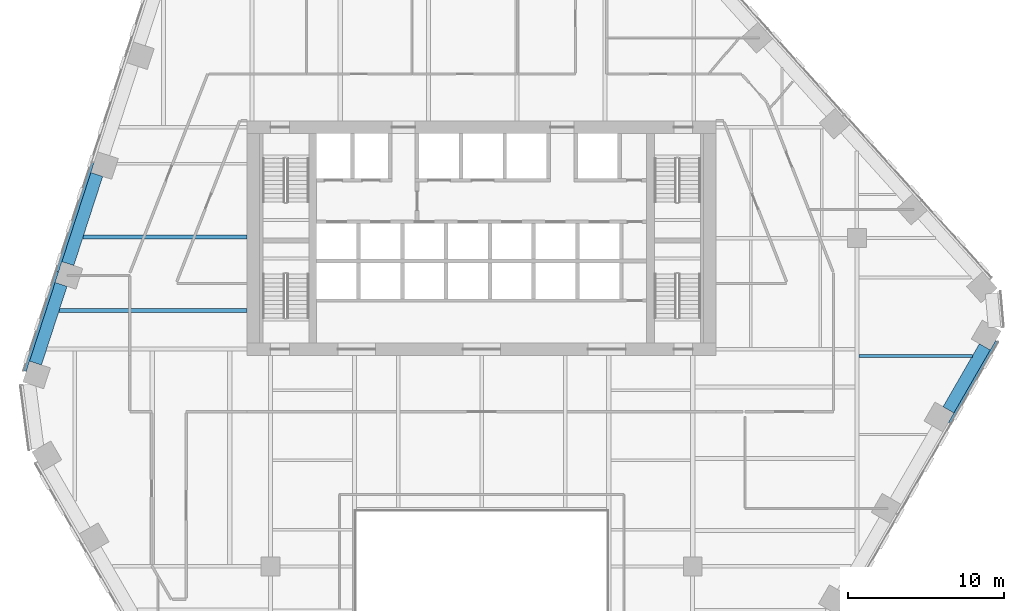
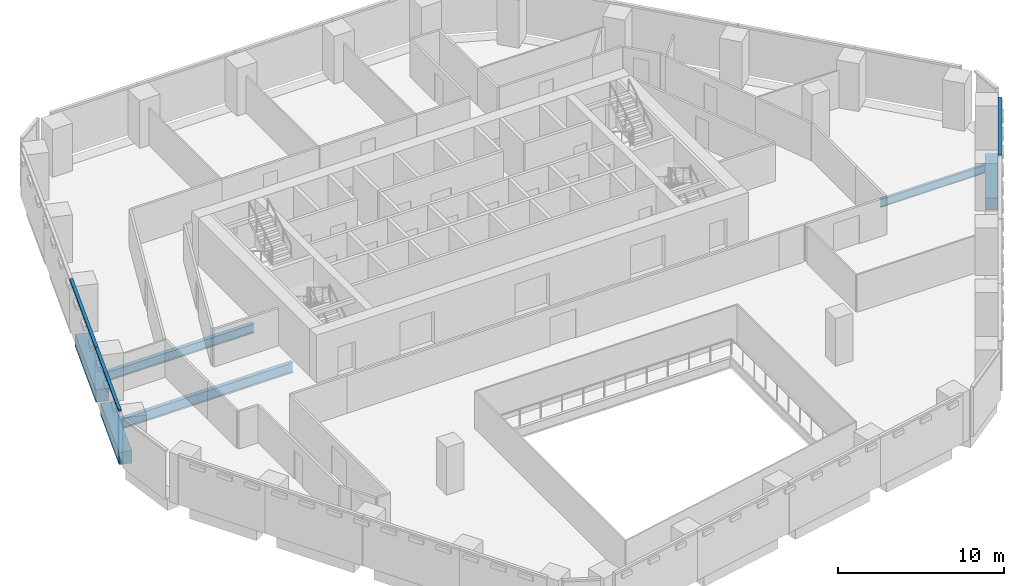
# One storey, part 6 of 17: 6 beams, 3 members, 2 elements without a shape of their own.
"""IFC4 building model written with IfcOpenShell, lengths in metres."""

import ifcopenshell
import ifcopenshell.guid

model = None  # the IFC model being written
_history = None  # IfcOwnerHistory: only IFC2X3 demands one
_inside = {}  # id of a spatial element -> (the spatial element, [elements in it])
_under = {}  # id of a project, library or spatial element -> (it, [spatial elements below it])
_declared = {}  # id of a project -> (the project, [libraries it declares])
_typed = {}  # id of a type object -> (the type object, [elements of that type])
_made_of = {}  # id of a material, layer set ... -> (it, [elements and type objects made of it])


def new_model(schema):
    """Start an empty IFC model of exactly this schema.

    Asked for "IFC4X3", IfcOpenShell would pick the latest addendum, in which some entities
    have other attributes; the version numbers below select the first issue.
    IFC2X3 requires an IfcOwnerHistory on every rooted entity: one is made here for all.
    """
    global model, _history
    if schema == "IFC4X3":
        model = ifcopenshell.file(schema_version=(4, 3, 0, 0))
    else:
        model = ifcopenshell.file(schema=schema)
    _inside.clear()
    _under.clear()
    _declared.clear()
    _typed.clear()
    _made_of.clear()
    _history = None
    if model.schema == "IFC2X3":
        org = make("IfcOrganization", Name="unknown")
        user = make(
            "IfcPersonAndOrganization",
            ThePerson=make("IfcPerson", FamilyName="unknown"),
            TheOrganization=org,
        )
        app = make(
            "IfcApplication",
            ApplicationDeveloper=org,
            Version="unknown",
            ApplicationFullName="unknown",
            ApplicationIdentifier="unknown",
        )
        _history = make(
            "IfcOwnerHistory",
            OwningUser=user,
            OwningApplication=app,
            ChangeAction="ADDED",
            CreationDate=0,
        )
    return model


def make(cls, **values):
    """One entity of the class cls with the attributes given. An attribute that is None is left unset."""
    return model.create_entity(
        cls, **{name: value for name, value in values.items() if value is not None}
    )


def rooted(cls, **values):
    """An entity with a GlobalId (a new one), such as an element, a storey or a relation."""
    return make(cls, GlobalId=ifcopenshell.guid.new(), OwnerHistory=_history, **values)


def si_unit(unit_type, name, prefix=None):
    """IfcSIUnit, for example si_unit("LENGTHUNIT", "METRE", prefix="MILLI")."""
    return make("IfcSIUnit", UnitType=unit_type, Prefix=prefix, Name=name)


def assignment(units):
    """IfcUnitAssignment: the units of a project."""
    return None if units is None else make("IfcUnitAssignment", Units=units)


def point(xyz):
    """IfcCartesianPoint."""
    return None if xyz is None else make("IfcCartesianPoint", Coordinates=xyz)


def direction(xyz):
    """IfcDirection."""
    return None if xyz is None else make("IfcDirection", DirectionRatios=xyz)


def frame(location, z_axis=None, x_axis=None):
    """IfcAxis2Placement3D, a coordinate frame: its origin and axes. An axis left out is left unset."""
    return make(
        "IfcAxis2Placement3D",
        Location=point(location),
        Axis=direction(z_axis),
        RefDirection=direction(x_axis),
    )


def frame_2d(location, x_axis=None):
    """IfcAxis2Placement2D, a coordinate frame in the plane: its origin and x axis."""
    return make(
        "IfcAxis2Placement2D", Location=point(location), RefDirection=direction(x_axis)
    )


def origin():
    """The frame at (0, 0, 0) with its axes left unset."""
    return frame((0.0, 0.0, 0.0))


def origin_2d():
    """The frame at (0, 0) in the plane with its x axis left unset."""
    return frame_2d((0.0, 0.0))


def place(relative_to, where):
    """IfcLocalPlacement: puts the frame where relative to a parent placement (None: the world)."""
    return make(
        "IfcLocalPlacement", PlacementRelTo=relative_to, RelativePlacement=where
    )


def context(
    kind, dimensions, precision=None, world=None, true_north=None, identifier=None
):
    """IfcGeometricRepresentationContext, for example the 3D "Model" context."""
    return make(
        "IfcGeometricRepresentationContext",
        ContextIdentifier=identifier,
        ContextType=kind,
        CoordinateSpaceDimension=dimensions,
        Precision=precision,
        WorldCoordinateSystem=world,
        TrueNorth=true_north,
    )


def subcontext(parent, identifier, kind, view, scale=None):
    """IfcGeometricRepresentationSubContext, for example "Body" below "Model"."""
    return make(
        "IfcGeometricRepresentationSubContext",
        ContextIdentifier=identifier,
        ContextType=kind,
        ParentContext=parent,
        TargetScale=scale,
        TargetView=view,
    )


def project(units=None, contexts=None):
    """IfcProject with its units and contexts."""
    return rooted(
        "IfcProject",
        Name="project",
        RepresentationContexts=contexts,
        UnitsInContext=assignment(units),
    )


def spatial(cls, under=None, at=None, **own):
    """A site, building, storey or space (cls), placed at a placement, below another one or the project."""
    s = rooted(cls, ObjectPlacement=at, **own)
    if under is not None:
        _under.setdefault(under.id(), (under, []))[1].append(s)
    return s


def profile(cls, at=None, kind="AREA", **sizes):
    """A parametric profile (cls). Its sizes go by their IFC names, for example OverallWidth=200.0."""
    return make(cls, ProfileType=kind, Position=at, **sizes)


def rectangle(**sizes):
    """IfcRectangleProfileDef."""
    return profile("IfcRectangleProfileDef", **sizes)


def i_section(**sizes):
    """IfcIShapeProfileDef."""
    return profile("IfcIShapeProfileDef", **sizes)


def extrude(swept, where, along, depth):
    """IfcExtrudedAreaSolid: the profile swept, set in the frame where, extruded along a direction by depth."""
    return make(
        "IfcExtrudedAreaSolid",
        SweptArea=swept,
        Position=where,
        ExtrudedDirection=direction(along),
        Depth=depth,
    )


def shape(context_of_items, identifier, shape_type, items):
    """IfcShapeRepresentation: the items that make up one representation, for example the "Body"."""
    return make(
        "IfcShapeRepresentation",
        ContextOfItems=context_of_items,
        RepresentationIdentifier=identifier,
        RepresentationType=shape_type,
        Items=items,
    )


def material(Name=None, Category=None):
    """IfcMaterial."""
    return make("IfcMaterial", Name=Name, Category=Category)


def layer(
    of_material, thickness, ventilated=None, Name=None, Category=None, Priority=None
):
    """IfcMaterialLayer: one layer of a wall or slab, of a material (None: an air gap)."""
    return make(
        "IfcMaterialLayer",
        Material=of_material,
        LayerThickness=thickness,
        IsVentilated=ventilated,
        Name=Name,
        Category=Category,
        Priority=Priority,
    )


def layer_set(layers, Name=None):
    """IfcMaterialLayerSet."""
    return make("IfcMaterialLayerSet", MaterialLayers=layers, LayerSetName=Name)


def material_profile(
    of_material, cross_section, Name=None, Category=None, Priority=None
):
    """IfcMaterialProfile: a cross section and its material."""
    return make(
        "IfcMaterialProfile",
        Name=Name,
        Material=of_material,
        Profile=cross_section,
        Priority=Priority,
        Category=Category,
    )


def profile_set(profiles, Name=None, composite=None):
    """IfcMaterialProfileSet."""
    return make(
        "IfcMaterialProfileSet",
        Name=Name,
        MaterialProfiles=profiles,
        CompositeProfile=composite,
    )


def made_of(thing, what):
    """Note that an element or type object is made of a material, layer set ...; save() writes the relation."""
    if what is not None:
        _made_of.setdefault(what.id(), (what, []))[1].append(thing)
    return thing


def type_object(cls, material=None, **own):
    """A type object (cls), such as IfcWallType, which elements share."""
    return made_of(rooted(cls, **own), material)


def element(
    cls,
    number,
    at=None,
    inside=None,
    cuts=None,
    type_object=None,
    material=None,
    context=None,
    identifier="Body",
    shape_type=None,
    held_by="IfcProductDefinitionShape",
    body=None,
    shapes=None,
    **own,
):
    """One element of the class cls, such as IfcWall. Its Tag is "e" and its number.

    at: its placement. inside: the storey or other place that contains it. cuts: it is an
    opening in that element (IfcRelVoidsElement). A single representation is given by context,
    identifier, shape_type and body (its items); several are given by shapes. held_by: the class
    of the entity that holds the representations. save() writes the other relations.
    """
    e = rooted(cls, Tag="e%d" % number, ObjectPlacement=at, **own)
    if body is not None:
        shapes = [shape(context, identifier, shape_type, body)]
    if shapes is not None:
        e.Representation = make(held_by, Representations=shapes)
    if inside is not None:
        _inside.setdefault(inside.id(), (inside, []))[1].append(e)
    if cuts is not None:
        rooted(
            "IfcRelVoidsElement", RelatingBuildingElement=cuts, RelatedOpeningElement=e
        )
    if type_object is not None:
        _typed.setdefault(type_object.id(), (type_object, []))[1].append(e)
    return made_of(e, material)


def aggregate(whole, parts):
    """IfcRelAggregates: a whole, such as a stair, and the parts it consists of."""
    return rooted("IfcRelAggregates", RelatingObject=whole, RelatedObjects=parts)


def save(model, path):
    """Write the relations noted so far, then the file.

    IfcRelAggregates (storeys below a building ...), IfcRelContainedInSpatialStructure (elements
    in a storey), IfcRelDefinesByType, IfcRelAssociatesMaterial and IfcRelDeclares: one each for
    every whole, place, type object, material and project.
    """
    for whole, parts in _under.values():
        aggregate(whole, parts)
    for where, things in _inside.values():
        rooted(
            "IfcRelContainedInSpatialStructure",
            RelatedElements=things,
            RelatingStructure=where,
        )
    for kind, things in _typed.values():
        rooted("IfcRelDefinesByType", RelatedObjects=things, RelatingType=kind)
    for what, things in _made_of.values():
        rooted("IfcRelAssociatesMaterial", RelatedObjects=things, RelatingMaterial=what)
    for by, libraries in _declared.values():
        rooted("IfcRelDeclares", RelatingContext=by, RelatedDefinitions=libraries)
    model.write(path)


model = new_model("IFC4")

# Units and contexts
model_context = context("Model", 3, precision=1e-05, world=origin(), true_north=direction((0.0, 1.0)))
body_context = subcontext(model_context, "Body", "Model", "MODEL_VIEW")
ifc_project = project(units=[si_unit("LENGTHUNIT", "METRE"), si_unit("AREAUNIT", "SQUARE_METRE"), si_unit("VOLUMEUNIT", "CUBIC_METRE"), si_unit("PLANEANGLEUNIT", "RADIAN"), si_unit("MASSUNIT", "GRAM", prefix="KILO")], contexts=[model_context])

# Site, building, storey
site_placement = place(None, origin())
site = spatial("IfcSite", under=ifc_project, at=site_placement, CompositionType="ELEMENT")
building_placement = place(site_placement, origin())
building = spatial("IfcBuilding", under=site, at=building_placement, Name="Isthmus Gate Tower", CompositionType="ELEMENT")
storey_placement = place(building_placement, frame((0.0, 0.0, 126.14990234375)))
storey = spatial("IfcBuildingStorey", under=building, at=storey_placement, Name="L30", CompositionType="ELEMENT", Elevation=126.14990234375)

# Curtain wall, members
ifc_material_1 = material(Name="Aluminium, pale champagne anodised", Category="aluminium")
ifc_layer = layer(ifc_material_1, 0.199951171875)
ifc_layer_set = layer_set([ifc_layer], Name="CW-1 UNITISED CURTAIN WALL 200 DEEP")
curtain_wall_type = type_object("IfcCurtainWallType", Name="CW-1 UNITISED CURTAIN WALL 200 DEEP", PredefinedType="NOTDEFINED", material=ifc_layer_set)
curtain_wall_1_placement = place(storey_placement, origin())
curtain_wall_1 = element("IfcCurtainWall", 1, at=curtain_wall_1_placement, inside=storey, type_object=curtain_wall_type, Name="CW-1 NW L30", PredefinedType="NOTDEFINED")
ifc_material_2 = material(Name="Aluminium, pale champagne anodised", Category="aluminium")
ifc_material_profile_1 = material_profile(ifc_material_2, rectangle(XDim=0.199951171875, YDim=0.139892578125, at=origin_2d()), Name="200x140")
ifc_profile_set_1 = profile_set([ifc_material_profile_1], Name="Aluminium, pale champagne anodised")
member_type = type_object("IfcMemberType", Name="CW-1 TRANSOM 200 X 140", PredefinedType="USERDEFINED", material=ifc_profile_set_1)
member_1_placement = place(storey_placement, frame((-24.896240234375, 12.33056640625, 3.580078125), z_axis=(-0.309025074527, -0.951053890857, 0.0), x_axis=(0.951053890857, -0.309025074527, 0.0)))
member_1 = element("IfcMember", 2, at=member_1_placement, type_object=member_type, Name="CW-1 transom", ObjectType="TRANSOM", PredefinedType="USERDEFINED", context=body_context, shape_type="SweptSolid", body=[
    extrude(rectangle(XDim=0.199951171875, YDim=0.139892578125, at=origin_2d()), origin(), (0.0, 0.0, 1.0), 7.330810546875),
])
member_2_placement = place(storey_placement, frame((-27.16162109375, 5.358642578125, 3.580078125), z_axis=(-0.309026665985, -0.951053373744, 0.0), x_axis=(0.951053373744, -0.309026665985, 0.0)))
member_2 = element("IfcMember", 3, at=member_2_placement, type_object=member_type, Name="CW-1 transom", ObjectType="TRANSOM", PredefinedType="USERDEFINED", context=body_context, shape_type="SweptSolid", body=[
    extrude(rectangle(XDim=0.199951171875, YDim=0.139892578125, at=origin_2d()), origin(), (0.0, 0.0, 1.0), 6.690673828125),
])
aggregate(curtain_wall_1, [member_1, member_2])

# Curtain wall, member
curtain_wall_2_placement = place(storey_placement, origin())
curtain_wall_2 = element("IfcCurtainWall", 4, at=curtain_wall_2_placement, inside=storey, type_object=curtain_wall_type, Name="CW-1 SE L30", PredefinedType="NOTDEFINED")
member_3_placement = place(storey_placement, frame((29.941162109375, -4.34033203125, 3.580078125), z_axis=(0.499997231551, 0.866027002143, 0.0), x_axis=(-0.866027002143, 0.499997231551, 0.0)))
member_3 = element("IfcMember", 5, at=member_3_placement, type_object=member_type, Name="CW-1 transom", ObjectType="TRANSOM", PredefinedType="USERDEFINED", context=body_context, shape_type="SweptSolid", body=[
    extrude(rectangle(XDim=0.199951171875, YDim=0.139892578125, at=origin_2d()), origin(), (0.0, 0.0, 1.0), 6.05029296875),
])
aggregate(curtain_wall_2, [member_3])

# Beams
ifc_material_3 = material(Name="Concrete f'c 60 MPa", Category="concrete")
ifc_material_profile_2 = material_profile(ifc_material_3, rectangle(XDim=0.800048828125, YDim=0.89990234375, at=origin_2d()), Name="RC 800X900")
ifc_profile_set_2 = profile_set([ifc_material_profile_2], Name="Concrete f'c 60 MPa")
beam_type_1 = type_object("IfcBeamType", Name="RC SPANDREL 800 X 900", PredefinedType="SPANDREL", material=ifc_profile_set_2)
beam_1_placement = place(storey_placement, frame((32.183349609375, 0.54296875, -0.449951171875), z_axis=(-0.500023913295, -0.866011596997, 0.0), x_axis=(0.866011596997, -0.500023913295, 0.0)))
element("IfcBeam", 6, at=beam_1_placement, inside=storey, type_object=beam_type_1, Name="str-spandrel-L30-06", PredefinedType="SPANDREL", context=body_context, shape_type="SweptSolid", body=[
    extrude(rectangle(XDim=0.800048828125, YDim=0.89990234375, at=origin_2d()), origin(), (0.0, 0.0, 1.0), 4.650146484375),
])
beam_2_placement = place(storey_placement, frame((-28.537353515625, -0.493408203125, -0.449951171875), z_axis=(0.309033901013, 0.951051022829, 0.0), x_axis=(-0.951051022829, 0.309033901013, 0.0)))
element("IfcBeam", 7, at=beam_2_placement, inside=storey, type_object=beam_type_1, Name="str-spandrel-L30-21", PredefinedType="SPANDREL", context=body_context, shape_type="SweptSolid", body=[
    extrude(rectangle(XDim=0.800048828125, YDim=0.89990234375, at=origin_2d()), origin(), (0.0, 0.0, 1.0), 5.290771484375),
])
beam_3_placement = place(storey_placement, frame((-26.4697265625, 5.869873046875, -0.449951171875), z_axis=(0.309029860788, 0.951052335648, 0.0), x_axis=(-0.951052335648, 0.309029860788, 0.0)))
element("IfcBeam", 8, at=beam_3_placement, inside=storey, type_object=beam_type_1, Name="str-spandrel-L30-22", PredefinedType="SPANDREL", context=body_context, shape_type="SweptSolid", body=[
    extrude(rectangle(XDim=0.800048828125, YDim=0.89990234375, at=origin_2d()), origin(), (0.0, 0.0, 1.0), 5.99072265625),
])
ifc_material_4 = material(Name="Structural steel ASTM A992 Gr 50", Category="steel")
ifc_material_profile_3 = material_profile(ifc_material_4, i_section(OverallWidth=0.177734375, OverallDepth=0.60009765625, WebThickness=0.009521484375, FlangeThickness=0.0126953125, at=origin_2d()), Name="W24X55")
ifc_profile_set_3 = profile_set([ifc_material_profile_3], Name="Structural steel ASTM A992 Gr 50")
beam_type_2 = type_object("IfcBeamType", Name="STEEL FLOOR BEAM W24X55", PredefinedType="JOIST", material=ifc_profile_set_3)
beam_4_placement = place(storey_placement, frame((24.13330078125, -0.037353515625, -0.449951171875), z_axis=(1.0, 0.0, 0.0), x_axis=(0.0, 1.0, 0.0)))
element("IfcBeam", 9, at=beam_4_placement, inside=storey, type_object=beam_type_2, Name="str-beam-L30-16-01", PredefinedType="JOIST", context=body_context, shape_type="SweptSolid", body=[
    extrude(i_section(OverallWidth=0.177734375, OverallDepth=0.60009765625, WebThickness=0.009521484375, FlangeThickness=0.0126953125, at=origin_2d()), origin(), (0.0, 0.0, 1.0), 7.2529296875),
])
ifc_material_5 = material(Name="Structural steel ASTM A992 Gr 50", Category="steel")
ifc_material_profile_4 = material_profile(ifc_material_5, i_section(OverallWidth=0.25390625, OverallDepth=0.679443359375, WebThickness=0.010986328125, FlangeThickness=0.015869140625, at=origin_2d()), Name="W27X84")
ifc_profile_set_4 = profile_set([ifc_material_profile_4], Name="Structural steel ASTM A992 Gr 50")
beam_type_3 = type_object("IfcBeamType", Name="STEEL FLOOR BEAM W27X84", PredefinedType="JOIST", material=ifc_profile_set_4)
beam_5_placement = place(storey_placement, frame((-25.498046875, 7.56591796875, -0.489501953125), z_axis=(1.0, 0.0, 0.0), x_axis=(0.0, 1.0, 0.0)))
element("IfcBeam", 10, at=beam_5_placement, inside=storey, type_object=beam_type_3, Name="str-beam-L30-01-01", PredefinedType="JOIST", context=body_context, shape_type="SweptSolid", body=[
    extrude(i_section(OverallWidth=0.25390625, OverallDepth=0.679443359375, WebThickness=0.010986328125, FlangeThickness=0.015869140625, at=origin_2d()), origin(), (0.0, 0.0, 1.0), 10.498046875),
])
ifc_material_6 = material(Name="Structural steel ASTM A992 Gr 50", Category="steel")
ifc_material_profile_5 = material_profile(ifc_material_6, i_section(OverallWidth=0.263427734375, OverallDepth=0.749267578125, WebThickness=0.0126953125, FlangeThickness=0.015869140625, at=origin_2d()), Name="W30X90")
ifc_profile_set_5 = profile_set([ifc_material_profile_5], Name="Structural steel ASTM A992 Gr 50")
beam_type_4 = type_object("IfcBeamType", Name="STEEL FLOOR BEAM W30X90", PredefinedType="JOIST", material=ifc_profile_set_5)
beam_6_placement = place(storey_placement, frame((-27.021728515625, 2.87646484375, -0.524658203125), z_axis=(1.0, 0.0, 0.0), x_axis=(0.0, 1.0, 0.0)))
element("IfcBeam", 11, at=beam_6_placement, inside=storey, type_object=beam_type_4, Name="str-beam-L30-01-00", PredefinedType="JOIST", context=body_context, shape_type="SweptSolid", body=[
    extrude(i_section(OverallWidth=0.263427734375, OverallDepth=0.749267578125, WebThickness=0.0126953125, FlangeThickness=0.015869140625, at=origin_2d()), origin(), (0.0, 0.0, 1.0), 12.021728515625),
])

save(model, "model.ifc")
